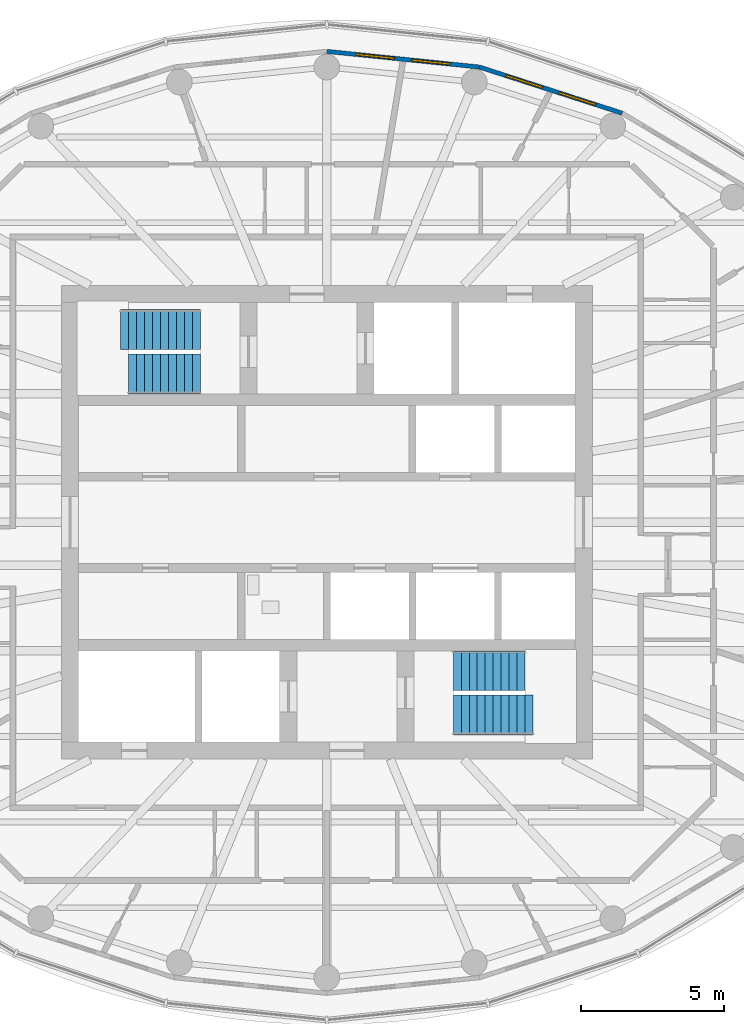
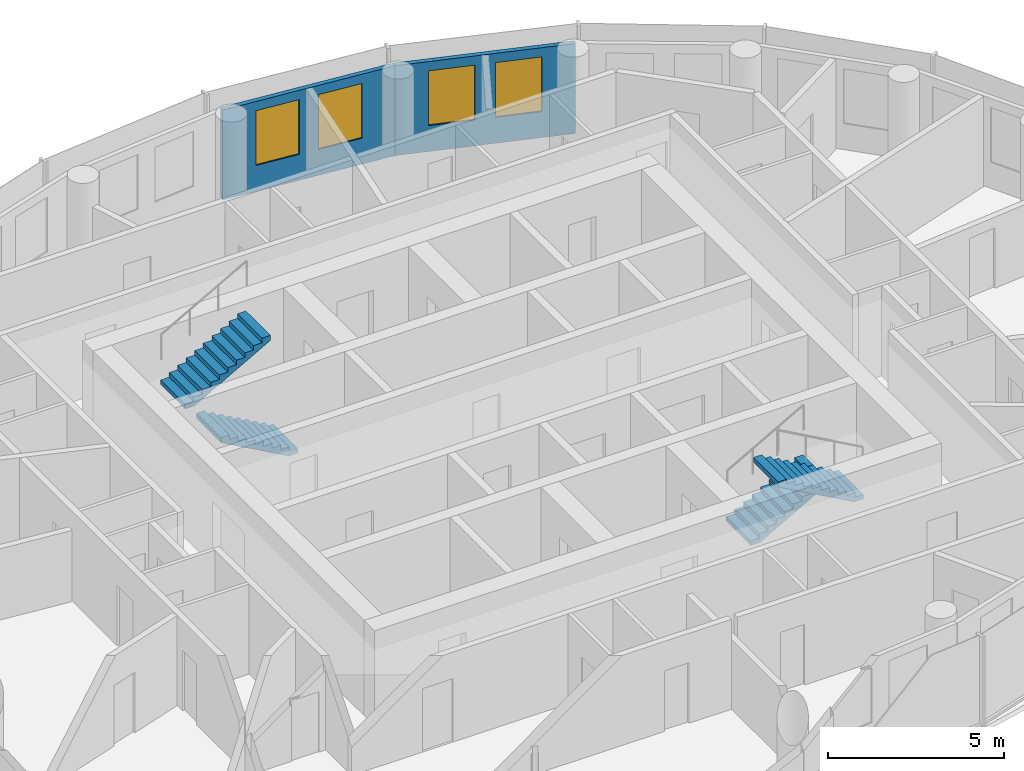
# One storey, part 10 of 12: 4 stair flights, 4 windows, 2 walls, 4 openings, 2 elements without a shape of their own.
"""IFC4 building model written with IfcOpenShell, lengths in metres."""

from ifc_helpers import new_model, si_unit, direction, frame, frame_2d, origin, place, context, subcontext, project, spatial, polyline, rectangle, outline, extrude, material, layer, layer_set, type_object, element, fill, aggregate, save


model = new_model("IFC4")

# Units and contexts
model_context = context("Model", 3, precision=1e-05, world=origin(), true_north=direction((0.0, 1.0)))
body_context = subcontext(model_context, "Body", "Model", "MODEL_VIEW")
ifc_project = project(units=[si_unit("LENGTHUNIT", "METRE"), si_unit("AREAUNIT", "SQUARE_METRE"), si_unit("VOLUMEUNIT", "CUBIC_METRE"), si_unit("PLANEANGLEUNIT", "RADIAN"), si_unit("MASSUNIT", "GRAM", prefix="KILO")], contexts=[model_context])

# Site, building, storey
site_placement = place(None, origin())
site = spatial("IfcSite", under=ifc_project, at=site_placement, CompositionType="ELEMENT")
building_placement = place(site_placement, origin())
building = spatial("IfcBuilding", under=site, at=building_placement, Name="Hankou Lantern Tower", CompositionType="ELEMENT")
storey_placement = place(building_placement, frame((0.0, 0.0, 222.60009765625)))
storey = spatial("IfcBuildingStorey", under=building, at=storey_placement, Name="L60", CompositionType="ELEMENT", Elevation=222.60009765625)

# Wall, openings, windows
ifc_material_1 = material(Name="Aluminium spandrel panel on steel studs", Category="steel")
ifc_layer = layer(ifc_material_1, 0.14990234375)
ifc_layer_set = layer_set([ifc_layer], Name="Aluminium spandrel panel on steel studs")
wall_type = type_object("IfcWallType", Name="EW1 INNER SKIN WALL 150", PredefinedType="ELEMENTEDWALL", material=ifc_layer_set)
wall_1_placement = place(storey_placement, frame((10.346435546875, 14.33642578125, 0.0), z_axis=(0.0, 0.0, 1.0), x_axis=(-0.951644702515, 0.307200846638, 0.0)))
wall_1 = element("IfcWall", 1, at=wall_1_placement, inside=storey, type_object=wall_type, Name="Inner skin R05-R06 L60", PredefinedType="ELEMENTEDWALL", context=body_context, shape_type="SweptSolid", body=[
    extrude(rectangle(XDim=5.2578125, YDim=0.14990234375, at=frame_2d((2.62890625, 0.0))), origin(), (0.0, 0.0, 1.0), 3.119873046875),
])
opening_1_placement = place(wall_1_placement, frame((0.97900390625, 0.0, 0.89990234375)))
opening_1 = element("IfcOpeningElement", 2, at=opening_1_placement, cuts=wall_1, Name="Opening W4", PredefinedType="OPENING", context=body_context, shape_type="SweptSolid", body=[
    extrude(rectangle(XDim=1.35009765625, YDim=1.89990234375, at=frame_2d((0.675048828125, 0.949951171875))), frame((0.0, 0.0849609375, 0.0), z_axis=(0.0, -1.0, 0.0), x_axis=(1.0, 0.0, 0.0)), (0.0, 0.0, 1.0), 0.169921875),
])
opening_2_placement = place(wall_1_placement, frame((2.928955078125, 0.0, 0.89990234375)))
opening_2 = element("IfcOpeningElement", 3, at=opening_2_placement, cuts=wall_1, Name="Opening W4", PredefinedType="OPENING", context=body_context, shape_type="SweptSolid", body=[
    extrude(rectangle(XDim=1.35009765625, YDim=1.89990234375, at=frame_2d((0.675048828125, 0.949951171875))), frame((0.0, 0.0849609375, 0.0), z_axis=(0.0, -1.0, 0.0), x_axis=(1.0, 0.0, 0.0)), (0.0, 0.0, 1.0), 0.169921875),
])
ifc_material_2 = material(Name="Aluminium framed double glazed window", Category="aluminium")
window_type = type_object("IfcWindowType", Name="W4 SUITE WINDOW 1350X1900", PartitioningType="DOUBLE_PANEL_VERTICAL", PredefinedType="WINDOW", material=ifc_material_2)
window_1_placement = place(opening_1_placement, origin())
window_1 = element("IfcWindow", 4, at=window_1_placement, inside=storey, type_object=window_type, Name="Window R05.1 L60", OverallHeight=1.89990234375, OverallWidth=1.35009765625, PartitioningType="SINGLE_PANEL", PredefinedType="WINDOW", context=body_context, shape_type="SweptSolid", body=[
    extrude(rectangle(XDim=1.35009765625, YDim=1.89990234375, at=frame_2d((0.675048828125, 0.949951171875))), frame((0.0, 0.030029296875, 0.0), z_axis=(0.0, -1.0, 0.0), x_axis=(1.0, 0.0, 0.0)), (0.0, 0.0, 1.0), 0.06005859375),
])
fill(opening_1, window_1)
window_2_placement = place(opening_2_placement, origin())
window_2 = element("IfcWindow", 5, at=window_2_placement, inside=storey, type_object=window_type, Name="Window R05.2 L60", OverallHeight=1.89990234375, OverallWidth=1.35009765625, PartitioningType="SINGLE_PANEL", PredefinedType="WINDOW", context=body_context, shape_type="SweptSolid", body=[
    extrude(rectangle(XDim=1.35009765625, YDim=1.89990234375, at=frame_2d((0.675048828125, 0.949951171875))), frame((0.0, 0.030029296875, 0.0), z_axis=(0.0, -1.0, 0.0), x_axis=(1.0, 0.0, 0.0)), (0.0, 0.0, 1.0), 0.06005859375),
])
fill(opening_2, window_2)

wall_2_placement = place(storey_placement, frame((5.3427734375, 15.95166015625, 0.0), z_axis=(0.0, 0.0, 1.0), x_axis=(-0.994774574972, 0.102095763818, 0.0)))
wall_2 = element("IfcWall", 6, at=wall_2_placement, inside=storey, type_object=wall_type, Name="Inner skin R06-R07 L60", PredefinedType="ELEMENTEDWALL", context=body_context, shape_type="SweptSolid", body=[
    extrude(rectangle(XDim=5.370849609375, YDim=0.14990234375, at=frame_2d((2.685546875, 0.0))), origin(), (0.0, 0.0, 1.0), 3.119873046875),
])
opening_3_placement = place(wall_2_placement, frame((1.035400390625, 0.0, 0.89990234375)))
opening_3 = element("IfcOpeningElement", 7, at=opening_3_placement, cuts=wall_2, Name="Opening W4", PredefinedType="OPENING", context=body_context, shape_type="SweptSolid", body=[
    extrude(rectangle(XDim=1.35009765625, YDim=1.89990234375, at=frame_2d((0.675048828125, 0.949951171875))), frame((0.0, 0.0849609375, 0.0), z_axis=(0.0, -1.0, 0.0), x_axis=(1.0, 0.0, 0.0)), (0.0, 0.0, 1.0), 0.169921875),
])
opening_4_placement = place(wall_2_placement, frame((2.9853515625, 0.0, 0.89990234375)))
opening_4 = element("IfcOpeningElement", 8, at=opening_4_placement, cuts=wall_2, Name="Opening W4", PredefinedType="OPENING", context=body_context, shape_type="SweptSolid", body=[
    extrude(rectangle(XDim=1.35009765625, YDim=1.89990234375, at=frame_2d((0.675048828125, 0.949951171875))), frame((0.0, 0.0849609375, 0.0), z_axis=(0.0, -1.0, 0.0), x_axis=(1.0, 0.0, 0.0)), (0.0, 0.0, 1.0), 0.169921875),
])
window_3_placement = place(opening_3_placement, origin())
window_3 = element("IfcWindow", 9, at=window_3_placement, inside=storey, type_object=window_type, Name="Window R06.1 L60", OverallHeight=1.89990234375, OverallWidth=1.35009765625, PartitioningType="SINGLE_PANEL", PredefinedType="WINDOW", context=body_context, shape_type="SweptSolid", body=[
    extrude(rectangle(XDim=1.35009765625, YDim=1.89990234375, at=frame_2d((0.675048828125, 0.949951171875))), frame((0.0, 0.030029296875, 0.0), z_axis=(0.0, -1.0, 0.0), x_axis=(1.0, 0.0, 0.0)), (0.0, 0.0, 1.0), 0.06005859375),
])
fill(opening_3, window_3)
window_4_placement = place(opening_4_placement, origin())
window_4 = element("IfcWindow", 10, at=window_4_placement, inside=storey, type_object=window_type, Name="Window R06.2 L60", OverallHeight=1.89990234375, OverallWidth=1.35009765625, PartitioningType="SINGLE_PANEL", PredefinedType="WINDOW", context=body_context, shape_type="SweptSolid", body=[
    extrude(rectangle(XDim=1.35009765625, YDim=1.89990234375, at=frame_2d((0.675048828125, 0.949951171875))), frame((0.0, 0.030029296875, 0.0), z_axis=(0.0, -1.0, 0.0), x_axis=(1.0, 0.0, 0.0)), (0.0, 0.0, 1.0), 0.06005859375),
])
fill(opening_4, window_4)

# Stair, stair flight
ifc_material_3 = material(Name="Concrete C40", Category="concrete")
stair_type = type_object("IfcStairType", Name="ST33 CORE STAIR 3300 RISE", PredefinedType="HALF_TURN_STAIR", material=ifc_material_3)
stair_1_placement = place(storey_placement, origin())
stair_1 = element("IfcStair", 11, at=stair_1_placement, inside=storey, type_object=stair_type, Name="Stair STA L60", PredefinedType="HALF_TURN_STAIR")
ifc_material_4 = material(Name="Concrete C40", Category="concrete")
stair_flight_type_1 = type_object("IfcStairFlightType", Name="CF10 CORE STAIR FLIGHT 1400 X 10 RISERS", PredefinedType="STRAIGHT", material=ifc_material_4)
stair_flight_1_placement = place(storey_placement, frame((-4.429931640625, 5.199951171875, 0.0), z_axis=(0.0, 0.0, 1.0), x_axis=(-1.0, 0.0, 0.0)))
stair_flight_1 = element("IfcStairFlight", 12, at=stair_flight_1_placement, type_object=stair_flight_type_1, Name="STA flight 1", NumberOfRisers=10, NumberOfTreads=9, PredefinedType="STRAIGHT", RiserHeight=0.157142857, TreadLength=0.28, context=body_context, shape_type="SweptSolid", body=[
    extrude(outline(polyline([(0.0, 0.0), (0.0, 0.1572265625), (0.280029296875, 0.1572265625), (0.280029296875, 0.314208984375), (0.56005859375, 0.314208984375), (0.56005859375, 0.471435546875), (0.840087890625, 0.471435546875), (0.840087890625, 0.628662109375), (1.1201171875, 0.628662109375), (1.1201171875, 0.78564453125), (1.39990234375, 0.78564453125), (1.39990234375, 0.94287109375), (1.679931640625, 0.94287109375), (1.679931640625, 1.10009765625), (1.9599609375, 1.10009765625), (1.9599609375, 1.257080078125), (2.239990234375, 1.257080078125), (2.239990234375, 1.414306640625), (2.52001953125, 1.414306640625), (2.52001953125, 1.571533203125), (2.52001953125, 1.242431640625), (0.306396484375, 0.0), (0.0, 0.0)])), frame((0.0, 0.699951171875, 0.0), z_axis=(0.0, -1.0, 0.0), x_axis=(1.0, 0.0, 0.0)), (0.0, 0.0, 1.0), 1.39990234375),
])

stair_2_placement = place(storey_placement, origin())
stair_2 = element("IfcStair", 13, at=stair_2_placement, inside=storey, type_object=stair_type, Name="Stair STB L60", PredefinedType="HALF_TURN_STAIR")
stair_flight_2_placement = place(storey_placement, frame((4.429931640625, -5.199951171875, 0.0), z_axis=(0.0, 0.0, 1.0), x_axis=(1.0, 0.0, 0.0)))
stair_flight_2 = element("IfcStairFlight", 14, at=stair_flight_2_placement, type_object=stair_flight_type_1, Name="STB flight 1", NumberOfRisers=10, NumberOfTreads=9, PredefinedType="STRAIGHT", RiserHeight=0.157142857, TreadLength=0.28, context=body_context, shape_type="SweptSolid", body=[
    extrude(outline(polyline([(0.0, 0.0), (0.0, 0.1572265625), (0.280029296875, 0.1572265625), (0.280029296875, 0.314208984375), (0.56005859375, 0.314208984375), (0.56005859375, 0.471435546875), (0.840087890625, 0.471435546875), (0.840087890625, 0.628662109375), (1.1201171875, 0.628662109375), (1.1201171875, 0.78564453125), (1.39990234375, 0.78564453125), (1.39990234375, 0.94287109375), (1.679931640625, 0.94287109375), (1.679931640625, 1.10009765625), (1.9599609375, 1.10009765625), (1.9599609375, 1.257080078125), (2.239990234375, 1.257080078125), (2.239990234375, 1.414306640625), (2.52001953125, 1.414306640625), (2.52001953125, 1.571533203125), (2.52001953125, 1.242431640625), (0.306396484375, 0.0), (0.0, 0.0)])), frame((0.0, 0.699951171875, 0.0), z_axis=(0.0, -1.0, 0.0), x_axis=(1.0, 0.0, 0.0)), (0.0, 0.0, 1.0), 1.39990234375),
])

# Stair flight
ifc_material_5 = material(Name="Concrete C40", Category="concrete")
stair_flight_type_2 = type_object("IfcStairFlightType", Name="CF11 CORE STAIR FLIGHT 1400 X 11 RISERS", PredefinedType="STRAIGHT", material=ifc_material_5)
stair_flight_3_placement = place(storey_placement, frame((-7.22998046875, 6.75, 1.5712890625), z_axis=(0.0, 0.0, 1.0), x_axis=(1.0, 0.0, 0.0)))
stair_flight_3 = element("IfcStairFlight", 15, at=stair_flight_3_placement, type_object=stair_flight_type_2, Name="STA flight 2", NumberOfRisers=11, NumberOfTreads=10, PredefinedType="STRAIGHT", RiserHeight=0.157142857, TreadLength=0.28, context=body_context, shape_type="SweptSolid", body=[
    extrude(outline(polyline([(0.0, 0.0), (0.0, 0.1572265625), (0.280029296875, 0.1572265625), (0.280029296875, 0.314208984375), (0.56005859375, 0.314208984375), (0.56005859375, 0.471435546875), (0.840087890625, 0.471435546875), (0.840087890625, 0.628662109375), (1.1201171875, 0.628662109375), (1.1201171875, 0.78564453125), (1.39990234375, 0.78564453125), (1.39990234375, 0.94287109375), (1.679931640625, 0.94287109375), (1.679931640625, 1.10009765625), (1.9599609375, 1.10009765625), (1.9599609375, 1.257080078125), (2.239990234375, 1.257080078125), (2.239990234375, 1.414306640625), (2.52001953125, 1.414306640625), (2.52001953125, 1.571533203125), (2.800048828125, 1.571533203125), (2.800048828125, 1.728515625), (2.800048828125, 1.3994140625), (0.306396484375, 0.0), (0.0, 0.0)])), frame((0.0, 0.699951171875, 0.0), z_axis=(0.0, -1.0, 0.0), x_axis=(1.0, 0.0, 0.0)), (0.0, 0.0, 1.0), 1.39990234375),
])

aggregate(stair_1, [stair_flight_1, stair_flight_3])

stair_flight_4_placement = place(storey_placement, frame((7.22998046875, -6.75, 1.5712890625), z_axis=(0.0, 0.0, 1.0), x_axis=(-1.0, 0.0, 0.0)))
stair_flight_4 = element("IfcStairFlight", 16, at=stair_flight_4_placement, type_object=stair_flight_type_2, Name="STB flight 2", NumberOfRisers=11, NumberOfTreads=10, PredefinedType="STRAIGHT", RiserHeight=0.157142857, TreadLength=0.28, context=body_context, shape_type="SweptSolid", body=[
    extrude(outline(polyline([(0.0, 0.0), (0.0, 0.1572265625), (0.280029296875, 0.1572265625), (0.280029296875, 0.314208984375), (0.56005859375, 0.314208984375), (0.56005859375, 0.471435546875), (0.840087890625, 0.471435546875), (0.840087890625, 0.628662109375), (1.1201171875, 0.628662109375), (1.1201171875, 0.78564453125), (1.39990234375, 0.78564453125), (1.39990234375, 0.94287109375), (1.679931640625, 0.94287109375), (1.679931640625, 1.10009765625), (1.9599609375, 1.10009765625), (1.9599609375, 1.257080078125), (2.239990234375, 1.257080078125), (2.239990234375, 1.414306640625), (2.52001953125, 1.414306640625), (2.52001953125, 1.571533203125), (2.800048828125, 1.571533203125), (2.800048828125, 1.728515625), (2.800048828125, 1.3994140625), (0.306396484375, 0.0), (0.0, 0.0)])), frame((0.0, 0.699951171875, 0.0), z_axis=(0.0, -1.0, 0.0), x_axis=(1.0, 0.0, 0.0)), (0.0, 0.0, 1.0), 1.39990234375),
])

aggregate(stair_2, [stair_flight_2, stair_flight_4])

save(model, "model.ifc")
